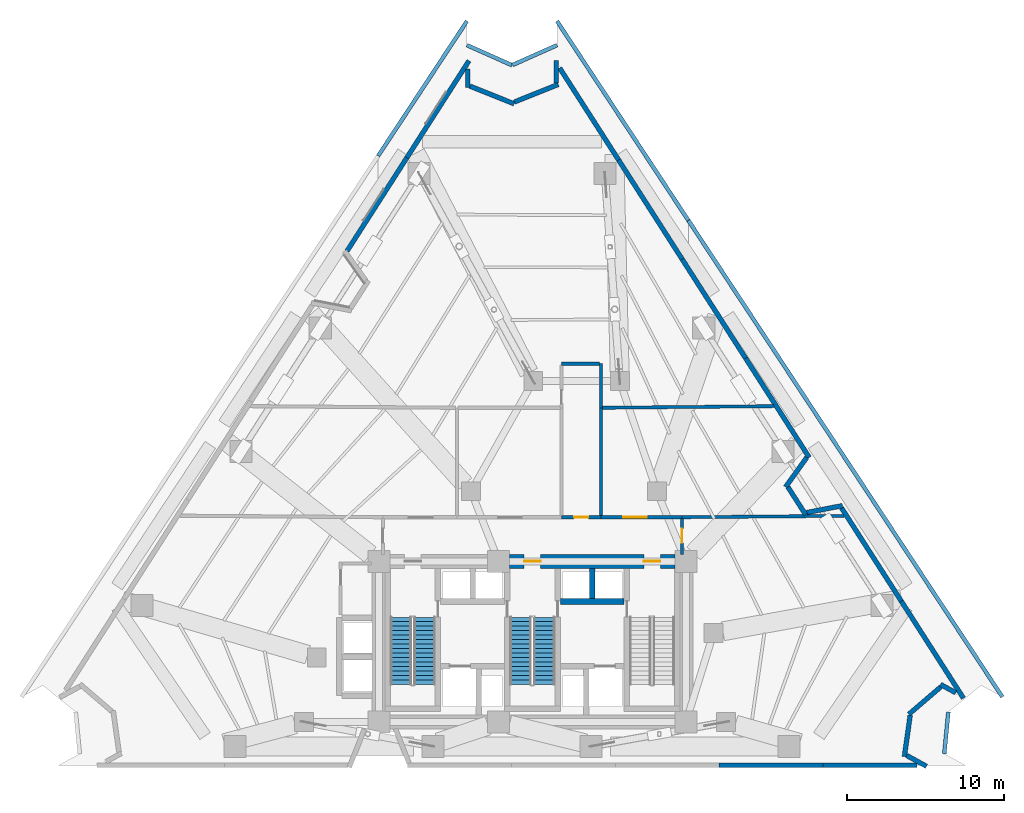
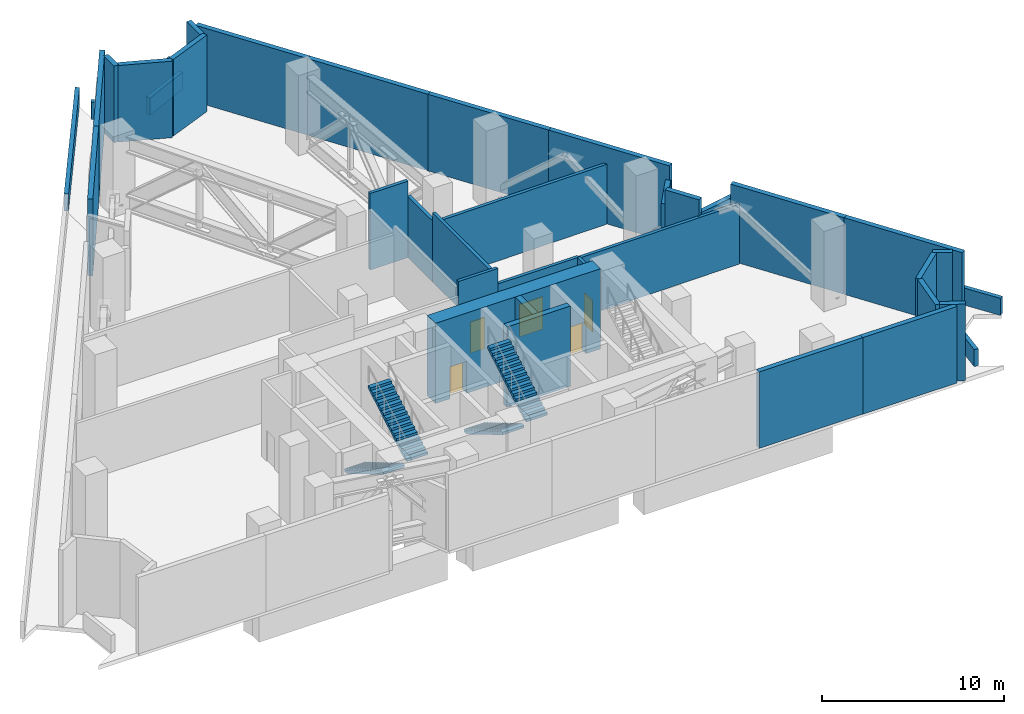
# One storey, part 9 of 12: 38 walls, 5 doors, 4 stair flights, 5 openings, 2 elements without a shape of their own.
"""IFC4 building model written with IfcOpenShell, lengths in metres."""

from ifc_helpers import new_model, si_unit, direction, frame, frame_2d, origin, place, context, subcontext, project, spatial, polyline, rectangle, outline, extrude, material, layer, layer_set, type_object, element, fill, aggregate, save


model = new_model("IFC4")

# Units and contexts
model_context = context("Model", 3, precision=1e-05, world=origin(), true_north=direction((0.0, 1.0)))
body_context = subcontext(model_context, "Body", "Model", "MODEL_VIEW")
ifc_project = project(units=[si_unit("LENGTHUNIT", "METRE"), si_unit("AREAUNIT", "SQUARE_METRE"), si_unit("VOLUMEUNIT", "CUBIC_METRE"), si_unit("PLANEANGLEUNIT", "RADIAN"), si_unit("MASSUNIT", "GRAM", prefix="KILO")], contexts=[model_context])

# Site, building, storey
site_placement = place(None, origin())
site = spatial("IfcSite", under=ifc_project, at=site_placement, CompositionType="ELEMENT")
building_placement = place(site_placement, origin())
building = spatial("IfcBuilding", under=site, at=building_placement, Name="Almagre Mirador Tower", CompositionType="ELEMENT")
storey_placement = place(building_placement, frame((0.0, 0.0, 26.39990234375)))
storey = spatial("IfcBuildingStorey", under=building, at=storey_placement, Name="L05", CompositionType="ELEMENT", Elevation=26.39990234375)

# Walls
ifc_material_1 = material(Name="Precast concrete C50/60", Category="concrete")
ifc_layer_1 = layer(ifc_material_1, 0.300048828125)
ifc_layer_set_1 = layer_set([ifc_layer_1], Name="Precast concrete C50/60")
wall_type_1 = type_object("IfcWallType", Name="WAL-EXT-300", PredefinedType="SOLIDWALL", material=ifc_layer_set_1)
wall_1_placement = place(storey_placement, frame((25.52392578125, 34.45263671875, 0.0), z_axis=(0.0, 0.0, 1.0), x_axis=(0.539524946774, 0.84196961454, 0.0)))
element("IfcWall", 1, at=wall_1_placement, inside=storey, type_object=wall_type_1, Name="L05 expressed almagre precast frame wall 04", PredefinedType="SOLIDWALL", context=body_context, shape_type="SweptSolid", body=[
    extrude(rectangle(XDim=7.04052734375, YDim=0.300048828125, at=frame_2d((3.520263671875, 0.0))), origin(), (0.0, 0.0, 1.0), 5.150146484375),
])
wall_2_placement = place(storey_placement, frame((29.322509765625, 40.380615234375, 0.0), z_axis=(0.0, 0.0, 1.0), x_axis=(0.539552692101, 0.841951834992, 0.0)))
element("IfcWall", 2, at=wall_2_placement, inside=storey, type_object=wall_type_1, Name="L05 expressed almagre precast frame wall 05", PredefinedType="SOLIDWALL", context=body_context, shape_type="SweptSolid", body=[
    extrude(rectangle(XDim=7.3154296875, YDim=0.300048828125, at=frame_2d((3.65771484375, 0.0))), origin(), (0.0, 0.0, 1.0), 5.150146484375),
])
wall_3_placement = place(storey_placement, frame((33.194091796875, 46.01708984375, 0.0), z_axis=(0.0, 0.0, 1.0), x_axis=(0.0, -1.0, 0.0)))
element("IfcWall", 3, at=wall_3_placement, inside=storey, type_object=wall_type_1, Name="L05 expressed almagre precast frame wall 06", PredefinedType="SOLIDWALL", context=body_context, shape_type="SweptSolid", body=[
    extrude(rectangle(XDim=1.175048828125, YDim=0.300048828125, at=frame_2d((0.58740234375, 0.0))), origin(), (0.0, 0.0, 1.0), 5.150146484375),
])
wall_4_placement = place(storey_placement, frame((33.323974609375, 44.9296875, 0.0), z_axis=(0.0, 0.0, 1.0), x_axis=(0.928091921944, -0.372351157407, 0.0)))
element("IfcWall", 4, at=wall_4_placement, inside=storey, type_object=wall_type_1, Name="L05 expressed almagre precast frame wall 07", PredefinedType="SOLIDWALL", context=body_context, shape_type="SweptSolid", body=[
    extrude(rectangle(XDim=3.023193359375, YDim=0.300048828125, at=frame_2d((1.51171875, 0.0))), origin(), (0.0, 0.0, 1.0), 5.150146484375),
])
wall_5_placement = place(storey_placement, frame((36.13916015625, 43.911865234375, 0.0), z_axis=(0.0, 0.0, 1.0), x_axis=(0.928057043086, 0.372438081804, 0.0)))
element("IfcWall", 5, at=wall_5_placement, inside=storey, type_object=wall_type_1, Name="L05 expressed almagre precast frame wall 08", PredefinedType="SOLIDWALL", context=body_context, shape_type="SweptSolid", body=[
    extrude(rectangle(XDim=3.013427734375, YDim=0.300048828125, at=frame_2d((1.5068359375, 0.0))), origin(), (0.0, 0.0, 1.0), 5.150146484375),
])
wall_6_placement = place(storey_placement, frame((38.805908203125, 45.1220703125, 0.0), z_axis=(0.0, 0.0, 1.0), x_axis=(0.0, 1.0, 0.0)))
element("IfcWall", 6, at=wall_6_placement, inside=storey, type_object=wall_type_1, Name="L05 expressed almagre precast frame wall 09", PredefinedType="SOLIDWALL", context=body_context, shape_type="SweptSolid", body=[
    extrude(rectangle(XDim=1.43994140625, YDim=0.300048828125, at=frame_2d((0.719970703125, 0.0))), origin(), (0.0, 0.0, 1.0), 5.150146484375),
])
wall_7_placement = place(storey_placement, frame((39.0244140625, 46.0810546875, 0.0), z_axis=(0.0, 0.0, 1.0), x_axis=(0.53955097723, -0.84195293394, 0.0)))
element("IfcWall", 7, at=wall_7_placement, inside=storey, type_object=wall_type_1, Name="L05 expressed almagre precast frame wall 10", PredefinedType="SOLIDWALL", context=body_context, shape_type="SweptSolid", body=[
    extrude(rectangle(XDim=6.936767578125, YDim=0.300048828125, at=frame_2d((3.46826171875, 0.0))), origin(), (0.0, 0.0, 1.0), 5.150146484375),
])
for number, where, z_axis, x_axis, name in (
    (8, (42.76708984375, 40.24072265625, 0.0), (0.0, 0.0, 1.0), (0.539510136354, -0.841979104712, 0.0), "L05 expressed almagre precast frame wall 11"),
    (9, (46.803466796875, 33.94140625, 0.0), (0.0, 0.0, 1.0), (0.539548093607, -0.841954781853, 0.0), "L05 expressed almagre precast frame wall 12"),
    (10, (50.840087890625, 27.642333984375, 0.0), (0.0, 0.0, 1.0), (0.539510136354, -0.841979104712, 0.0), "L05 expressed almagre precast frame wall 13"),
):
    element("IfcWall", number, at=place(storey_placement, frame(where, z_axis=z_axis, x_axis=x_axis)), inside=storey, type_object=wall_type_1, Name=name, PredefinedType="SOLIDWALL", context=body_context, shape_type="SweptSolid", body=[
        extrude(rectangle(XDim=7.4814453125, YDim=0.300048828125, at=frame_2d((3.74072265625, 0.0))), origin(), (0.0, 0.0, 1.0), 5.150146484375),
    ])
wall_8_placement = place(storey_placement, frame((54.722412109375, 21.351318359375, 0.0), z_axis=(0.0, 0.0, 1.0), x_axis=(-0.58303932792, -0.812443931665, 0.0)))
element("IfcWall", 11, at=wall_8_placement, inside=storey, type_object=wall_type_1, Name="L05 expressed almagre precast frame wall 14", PredefinedType="SOLIDWALL", context=body_context, shape_type="SweptSolid", body=[
    extrude(rectangle(XDim=2.319091796875, YDim=0.300048828125, at=frame_2d((1.15966796875, 0.0))), origin(), (0.0, 0.0, 1.0), 4.175048828125),
])
wall_9_placement = place(storey_placement, frame((53.52490234375, 19.46728515625, 0.0), z_axis=(0.0, 0.0, 1.0), x_axis=(0.539579295957, -0.841934785702, 0.0)))
element("IfcWall", 12, at=wall_9_placement, inside=storey, type_object=wall_type_1, Name="L05 expressed almagre precast frame wall 15", PredefinedType="SOLIDWALL", context=body_context, shape_type="SweptSolid", body=[
    extrude(rectangle(XDim=2.095458984375, YDim=0.300048828125, at=frame_2d((1.0478515625, 0.0))), origin(), (0.0, 0.0, 1.0), 5.150146484375),
])
wall_10_placement = place(storey_placement, frame((54.712646484375, 17.8466796875, 0.0), z_axis=(0.0, 0.0, 1.0), x_axis=(0.981741799544, 0.190218398238, 0.0)))
element("IfcWall", 13, at=wall_10_placement, inside=storey, type_object=wall_type_1, Name="L05 expressed almagre precast frame wall 16", PredefinedType="SOLIDWALL", context=body_context, shape_type="SweptSolid", body=[
    extrude(rectangle(XDim=2.31787109375, YDim=0.300048828125, at=frame_2d((1.158935546875, 0.0))), origin(), (0.0, 0.0, 1.0), 4.175048828125),
])
wall_11_placement = place(storey_placement, frame((56.923828125, 18.1474609375, 0.0), z_axis=(0.0, 0.0, 1.0), x_axis=(0.539524946774, -0.84196961454, 0.0)))
element("IfcWall", 14, at=wall_11_placement, inside=storey, type_object=wall_type_1, Name="L05 expressed almagre precast frame wall 17", PredefinedType="SOLIDWALL", context=body_context, shape_type="SweptSolid", body=[
    extrude(rectangle(XDim=7.04052734375, YDim=0.300048828125, at=frame_2d((3.520263671875, 0.0))), origin(), (0.0, 0.0, 1.0), 5.150146484375),
])
wall_12_placement = place(storey_placement, frame((60.722412109375, 12.219482421875, 0.0), z_axis=(0.0, 0.0, 1.0), x_axis=(0.53953753152, -0.841961550239, 0.0)))
element("IfcWall", 15, at=wall_12_placement, inside=storey, type_object=wall_type_1, Name="L05 expressed almagre precast frame wall 18", PredefinedType="SOLIDWALL", context=body_context, shape_type="SweptSolid", body=[
    extrude(rectangle(XDim=7.315673828125, YDim=0.300048828125, at=frame_2d((3.65771484375, 0.0))), origin(), (0.0, 0.0, 1.0), 5.150146484375),
])
wall_13_placement = place(storey_placement, frame((64.181640625, 6.403564453125, 0.0), z_axis=(0.0, 0.0, 1.0), x_axis=(-0.877222032341, 0.48008489455, 0.0)))
element("IfcWall", 16, at=wall_13_placement, inside=storey, type_object=wall_type_1, Name="L05 expressed almagre precast frame wall 19", PredefinedType="SOLIDWALL", context=body_context, shape_type="SweptSolid", body=[
    extrude(rectangle(XDim=1.109619140625, YDim=0.300048828125, at=frame_2d((0.5546875, 0.0))), origin(), (0.0, 0.0, 1.0), 5.150146484375),
])
wall_14_placement = place(storey_placement, frame((63.228515625, 6.781005859375, 0.0), z_axis=(0.0, 0.0, 1.0), x_axis=(-0.7586756687, -0.651468517829, 0.0)))
element("IfcWall", 17, at=wall_14_placement, inside=storey, type_object=wall_type_1, Name="L05 expressed almagre precast frame wall 20", PredefinedType="SOLIDWALL", context=body_context, shape_type="SweptSolid", body=[
    extrude(rectangle(XDim=2.671142578125, YDim=0.300048828125, at=frame_2d((1.33544921875, 0.0))), origin(), (0.0, 0.0, 1.0), 5.150146484375),
])
wall_15_placement = place(storey_placement, frame((61.285888671875, 4.973388671875, 0.0), z_axis=(0.0, 0.0, 1.0), x_axis=(-0.139186994148, -0.990266116082, 0.0)))
element("IfcWall", 18, at=wall_15_placement, inside=storey, type_object=wall_type_1, Name="L05 expressed almagre precast frame wall 21", PredefinedType="SOLIDWALL", context=body_context, shape_type="SweptSolid", body=[
    extrude(rectangle(XDim=2.64697265625, YDim=0.300048828125, at=frame_2d((1.323486328125, 0.0))), origin(), (0.0, 0.0, 1.0), 5.150146484375),
])
wall_16_placement = place(storey_placement, frame((61.055419921875, 2.42626953125, 0.0), z_axis=(0.0, 0.0, 1.0), x_axis=(0.877287752989, -0.479964788767, 0.0)))
element("IfcWall", 19, at=wall_16_placement, inside=storey, type_object=wall_type_1, Name="L05 expressed almagre precast frame wall 22", PredefinedType="SOLIDWALL", context=body_context, shape_type="SweptSolid", body=[
    extrude(rectangle(XDim=1.444580078125, YDim=0.300048828125, at=frame_2d((0.72216796875, 0.0))), origin(), (0.0, 0.0, 1.0), 5.150146484375),
])
wall_17_placement = place(storey_placement, frame((61.72998046875, 1.800048828125, 0.0), z_axis=(0.0, 0.0, 1.0), x_axis=(-1.0, 0.0, 0.0)))
element("IfcWall", 20, at=wall_17_placement, inside=storey, type_object=wall_type_1, Name="L05 expressed almagre precast frame wall 23", PredefinedType="SOLIDWALL", context=body_context, shape_type="SweptSolid", body=[
    extrude(rectangle(XDim=5.982666015625, YDim=0.300048828125, at=frame_2d((2.9912109375, 0.0))), origin(), (0.0, 0.0, 1.0), 5.150146484375),
])
wall_18_placement = place(storey_placement, frame((55.747314453125, 1.800048828125, 0.0), z_axis=(0.0, 0.0, 1.0), x_axis=(-1.0, 0.0, 0.0)))
element("IfcWall", 21, at=wall_18_placement, inside=storey, type_object=wall_type_1, Name="L05 expressed almagre precast frame wall 24", PredefinedType="SOLIDWALL", context=body_context, shape_type="SweptSolid", body=[
    extrude(rectangle(XDim=6.593017578125, YDim=0.300048828125, at=frame_2d((3.29638671875, 0.0))), origin(), (0.0, 0.0, 1.0), 5.150146484375),
])
ifc_material_2 = material(Name="Precast concrete C50/60", Category="concrete")
ifc_layer_2 = layer(ifc_material_2, 0.25)
ifc_layer_set_2 = layer_set([ifc_layer_2], Name="Precast concrete C50/60")
wall_type_2 = type_object("IfcWallType", Name="WAL-PAR-250", PredefinedType="PARAPET", material=ifc_layer_set_2)
wall_19_placement = place(storey_placement, frame((63.7099609375, 5.18798828125, 0.0), z_axis=(0.0, 0.0, 1.0), x_axis=(-0.096122895787, -0.995369473565, 0.0)))
element("IfcWall", 22, at=wall_19_placement, inside=storey, type_object=wall_type_2, Name="L05 terrace precast parapet 2.3", PredefinedType="PARAPET", context=body_context, shape_type="SweptSolid", body=[
    extrude(rectangle(XDim=2.674560546875, YDim=0.25, at=frame_2d((1.33740234375, 0.0))), origin(), (0.0, 0.0, 1.0), 1.150146484375),
])
wall_20_placement = place(storey_placement, frame((47.199951171875, 36.40234375, 0.0), z_axis=(0.0, 0.0, 1.0), x_axis=(0.550211524159, -0.835025316192, 0.0)))
element("IfcWall", 23, at=wall_20_placement, inside=storey, type_object=wall_type_2, Name="L05 terrace precast parapet 2.78", PredefinedType="PARAPET", context=body_context, shape_type="SweptSolid", body=[
    extrude(rectangle(XDim=36.23876953125, YDim=0.25, at=frame_2d((18.119384765625, 0.0))), origin(), (0.0, 0.0, 1.0), 1.150146484375),
])
wall_21_placement = place(storey_placement, frame((33.138916015625, 47.528076171875, 0.0), z_axis=(0.0, 0.0, 1.0), x_axis=(0.913766527621, -0.406239748178, 0.0)))
element("IfcWall", 24, at=wall_21_placement, inside=storey, type_object=wall_type_2, Name="L05 terrace precast parapet 3.2", PredefinedType="PARAPET", context=body_context, shape_type="SweptSolid", body=[
    extrude(rectangle(XDim=3.131103515625, YDim=0.25, at=frame_2d((1.5654296875, 0.0))), origin(), (0.0, 0.0, 1.0), 1.150146484375),
])
wall_22_placement = place(storey_placement, frame((36.031982421875, 46.270263671875, 0.0), z_axis=(0.0, 0.0, 1.0), x_axis=(0.913759513777, 0.406255524248, 0.0)))
element("IfcWall", 25, at=wall_22_placement, inside=storey, type_object=wall_type_2, Name="L05 terrace precast parapet 3.3", PredefinedType="PARAPET", context=body_context, shape_type="SweptSolid", body=[
    extrude(rectangle(XDim=3.09619140625, YDim=0.25, at=frame_2d((1.548095703125, 0.0))), origin(), (0.0, 0.0, 1.0), 1.150146484375),
])
wall_23_placement = place(storey_placement, frame((38.861083984375, 49.05810546875, 0.0), z_axis=(0.0, 0.0, 1.0), x_axis=(0.550201566489, -0.835031877376, 0.0)))
element("IfcWall", 26, at=wall_23_placement, inside=storey, type_object=wall_type_2, Name="L05 terrace precast parapet 3.5", PredefinedType="PARAPET", context=body_context, shape_type="SweptSolid", body=[
    extrude(rectangle(XDim=15.156005859375, YDim=0.25, at=frame_2d((7.578125, 0.0))), origin(), (0.0, 0.0, 1.0), 1.150146484375),
])
wall_24_placement = place(storey_placement, frame((27.5, 40.5, 0.0), z_axis=(0.0, 0.0, 1.0), x_axis=(0.550200881424, 0.835032328763, 0.0)))
element("IfcWall", 27, at=wall_24_placement, inside=storey, type_object=wall_type_2, Name="L05 terrace precast parapet 3.66", PredefinedType="PARAPET", context=body_context, shape_type="SweptSolid", body=[
    extrude(rectangle(XDim=10.248779296875, YDim=0.25, at=frame_2d((5.12451171875, 0.0))), origin(), (0.0, 0.0, 1.0), 1.150146484375),
])

# Wall, opening, door
ifc_material_3 = material(Name="Gypsum acoustic stud partition", Category="other")
ifc_layer_3 = layer(ifc_material_3, 0.199951171875)
ifc_layer_set_3 = layer_set([ifc_layer_3], Name="Gypsum acoustic stud partition")
wall_type_3 = type_object("IfcWallType", Name="WAL-PRT-200-EI60", PredefinedType="PARTITIONING", material=ifc_layer_set_3)
wall_25_placement = place(storey_placement, frame((39.14990234375, 17.550048828125, 0.0), z_axis=(0.0, 0.0, 1.0), x_axis=(1.0, 0.0, 0.0)))
wall_25 = element("IfcWall", 28, at=wall_25_placement, inside=storey, type_object=wall_type_3, Name="L05 interior partition 001", PredefinedType="PARTITIONING", context=body_context, shape_type="SweptSolid", body=[
    extrude(rectangle(XDim=2.5, YDim=0.199951171875, at=frame_2d((1.25, 0.0))), origin(), (0.0, 0.0, 1.0), 5.150146484375),
])
opening_1_placement = place(wall_25_placement, frame((0.800048828125, 0.0, 0.0)))
opening_1 = element("IfcOpeningElement", 29, at=opening_1_placement, cuts=wall_25, Name="Opening ID-03", PredefinedType="OPENING", context=body_context, shape_type="SweptSolid", body=[
    extrude(rectangle(XDim=0.89990234375, YDim=2.10009765625, at=frame_2d((0.449951171875, 1.050048828125))), frame((0.0, 0.110098, 0.0), z_axis=(0.0, -1.0, 0.0), x_axis=(1.0, 0.0, 0.0)), (0.0, 0.0, 1.0), 0.219951),
])
ifc_material_4 = material(Name="Fire-rated hollow steel", Category="steel")
door_type_1 = type_object("IfcDoorType", Name="DOR-FD60-900X2100", OperationType="NOTDEFINED", PredefinedType="DOOR", material=ifc_material_4)
door_1_placement = place(opening_1_placement, origin())
door_1 = element("IfcDoor", 30, at=door_1_placement, inside=storey, type_object=door_type_1, Name="DR-0162 L05 interior door L05-PLT-1 to L05-PCOR", OperationType="SINGLE_SWING_LEFT", OverallHeight=2.10009765625, OverallWidth=0.89990234375, PredefinedType="DOOR", context=body_context, shape_type="SweptSolid", body=[
    extrude(rectangle(XDim=0.89990234375, YDim=2.10009765625, at=frame_2d((0.449951171875, 1.050048828125))), frame((0.0, 0.02490234375, 0.0), z_axis=(0.0, -1.0, 0.0), x_axis=(1.0, 0.0, 0.0)), (0.0, 0.0, 1.0), 0.050048828125),
])
fill(opening_1, door_1)

# Walls
wall_26_placement = place(storey_placement, frame((41.64990234375, 17.635009765625, 0.0), z_axis=(0.0, 0.0, 1.0), x_axis=(0.0, 1.0, 0.0)))
element("IfcWall", 31, at=wall_26_placement, inside=storey, type_object=wall_type_3, Name="L05 interior partition 003", PredefinedType="PARTITIONING", context=body_context, shape_type="SweptSolid", body=[
    extrude(rectangle(XDim=6.864990234375, YDim=0.199951171875, at=frame_2d((3.4326171875, 0.0))), origin(), (0.0, 0.0, 1.0), 4.653076171875),
])
wall_27_placement = place(storey_placement, frame((41.64990234375, 24.5, 0.0), z_axis=(0.0, 0.0, 1.0), x_axis=(0.0, 1.0, 0.0)))
element("IfcWall", 32, at=wall_27_placement, inside=storey, type_object=wall_type_3, Name="L05 interior partition 004", PredefinedType="PARTITIONING", context=body_context, shape_type="SweptSolid", body=[
    extrude(rectangle(XDim=2.800048828125, YDim=0.199951171875, at=frame_2d((1.39990234375, 0.0))), origin(), (0.0, 0.0, 1.0), 4.109130859375),
])
wall_28_placement = place(storey_placement, frame((41.56494140625, 27.300048828125, 0.0), z_axis=(0.0, 0.0, 1.0), x_axis=(-1.0, 0.0, 0.0)))
element("IfcWall", 33, at=wall_28_placement, inside=storey, type_object=wall_type_3, Name="L05 interior partition 005", PredefinedType="PARTITIONING", context=body_context, shape_type="SweptSolid", body=[
    extrude(rectangle(XDim=2.4150390625, YDim=0.199951171875, at=frame_2d((1.20751953125, 0.0))), origin(), (0.0, 0.0, 1.0), 5.150146484375),
])

# Wall, opening, door
wall_29_placement = place(storey_placement, frame((46.800048828125, 17.550048828125, 0.0), z_axis=(0.0, 0.0, 1.0), x_axis=(-1.0, 0.0, 0.0)))
wall_29 = element("IfcWall", 34, at=wall_29_placement, inside=storey, type_object=wall_type_3, Name="L05 interior partition 009", PredefinedType="PARTITIONING", context=body_context, shape_type="SweptSolid", body=[
    extrude(rectangle(XDim=5.150146484375, YDim=0.199951171875, at=frame_2d((2.5751953125, 0.0))), origin(), (0.0, 0.0, 1.0), 4.109130859375),
])
opening_2_placement = place(wall_29_placement, frame((2.231689453125, 0.0, 0.0)))
opening_2 = element("IfcOpeningElement", 35, at=opening_2_placement, cuts=wall_29, Name="Opening ID-04", PredefinedType="OPENING", context=body_context, shape_type="SweptSolid", body=[
    extrude(rectangle(XDim=1.5, YDim=2.199951171875, at=frame_2d((0.75, 1.10009765625))), frame((0.0, 0.110098, 0.0), z_axis=(0.0, -1.0, 0.0), x_axis=(1.0, 0.0, 0.0)), (0.0, 0.0, 1.0), 0.219951),
])
ifc_material_5 = material(Name="Fire-rated hollow steel", Category="steel")
door_type_2 = type_object("IfcDoorType", Name="DOR-FD60-1500X2200", OperationType="DOUBLE_DOOR_SINGLE_SWING", PredefinedType="DOOR", material=ifc_material_5)
door_2_placement = place(opening_2_placement, origin())
door_2 = element("IfcDoor", 36, at=door_2_placement, inside=storey, type_object=door_type_2, Name="DR-0164 L05 interior door L05-PCOR to L05-PLT-4", OperationType="DOUBLE_DOOR_SINGLE_SWING", OverallHeight=2.199951171875, OverallWidth=1.5, PredefinedType="DOOR", context=body_context, shape_type="SweptSolid", body=[
    extrude(rectangle(XDim=1.5, YDim=2.199951171875, at=frame_2d((0.75, 1.10009765625))), frame((0.0, 0.02490234375, 0.0), z_axis=(0.0, -1.0, 0.0), x_axis=(1.0, 0.0, 0.0)), (0.0, 0.0, 1.0), 0.050048828125),
])
fill(opening_2, door_2)

wall_30_placement = place(storey_placement, frame((46.800048828125, 15.199951171875, 0.0), z_axis=(0.0, 0.0, 1.0), x_axis=(0.0, 1.0, 0.0)))
wall_30 = element("IfcWall", 37, at=wall_30_placement, inside=storey, type_object=wall_type_3, Name="L05 interior partition 011", PredefinedType="PARTITIONING", context=body_context, shape_type="SweptSolid", body=[
    extrude(rectangle(XDim=2.26513671875, YDim=0.199951171875, at=frame_2d((1.132568359375, 0.0))), origin(), (0.0, 0.0, 1.0), 4.109130859375),
])
opening_3_placement = place(wall_30_placement, frame((0.72509765625, 0.0, 0.0)))
opening_3 = element("IfcOpeningElement", 38, at=opening_3_placement, cuts=wall_30, Name="Opening ID-03", PredefinedType="OPENING", context=body_context, shape_type="SweptSolid", body=[
    extrude(rectangle(XDim=0.89990234375, YDim=2.10009765625, at=frame_2d((0.449951171875, 1.050048828125))), frame((0.0, 0.110098, 0.0), z_axis=(0.0, -1.0, 0.0), x_axis=(1.0, 0.0, 0.0)), (0.0, 0.0, 1.0), 0.219951),
])
door_3_placement = place(opening_3_placement, origin())
door_3 = element("IfcDoor", 39, at=door_3_placement, inside=storey, type_object=door_type_1, Name="DR-0166 L05 interior door L05-PCOR to L05-REF-E", OperationType="SINGLE_SWING_LEFT", OverallHeight=2.10009765625, OverallWidth=0.89990234375, PredefinedType="DOOR", context=body_context, shape_type="SweptSolid", body=[
    extrude(rectangle(XDim=0.89990234375, YDim=2.10009765625, at=frame_2d((0.449951171875, 1.050048828125))), frame((0.0, 0.02490234375, 0.0), z_axis=(0.0, -1.0, 0.0), x_axis=(1.0, 0.0, 0.0)), (0.0, 0.0, 1.0), 0.050048828125),
])
fill(opening_3, door_3)

# Walls
wall_31_placement = place(storey_placement, frame((46.800048828125, 17.550048828125, 0.0), z_axis=(0.0, 0.0, 1.0), x_axis=(0.99996212841, 0.008702973367, 0.0)))
element("IfcWall", 40, at=wall_31_placement, inside=storey, type_object=wall_type_3, Name="L05 interior partition 015", PredefinedType="PARTITIONING", context=body_context, shape_type="SweptSolid", body=[
    extrude(rectangle(XDim=10.267333984375, YDim=0.199951171875, at=frame_2d((5.1337890625, 0.0))), origin(), (0.0, 0.0, 1.0), 4.028076171875),
])
wall_32_placement = place(storey_placement, frame((52.64599609375, 24.60498046875, 0.0), z_axis=(0.0, 0.0, 1.0), x_axis=(-0.999954144913, -0.009576433153, 0.0)))
element("IfcWall", 41, at=wall_32_placement, inside=storey, type_object=wall_type_3, Name="L05 interior partition 016", PredefinedType="PARTITIONING", context=body_context, shape_type="SweptSolid", body=[
    extrude(rectangle(XDim=10.911376953125, YDim=0.199951171875, at=frame_2d((5.45556640625, 0.0))), origin(), (0.0, 0.0, 1.0), 4.028076171875),
])
ifc_material_6 = material(Name="Concrete C60/75", Category="concrete")
ifc_layer_4 = layer(ifc_material_6, 0.35009765625)
ifc_layer_set_4 = layer_set([ifc_layer_4], Name="Concrete C60/75")
wall_type_4 = type_object("IfcWallType", Name="WAL-SHF-350", PredefinedType="SOLIDWALL", material=ifc_layer_set_4)
wall_33_placement = place(storey_placement, frame((39.074951171875, 12.199951171875, 0.0), z_axis=(0.0, 0.0, 1.0), x_axis=(1.0, 0.0, 0.0)))
element("IfcWall", 42, at=wall_33_placement, inside=storey, type_object=wall_type_4, Name="L05 shaft wall PLH-S", PredefinedType="SOLIDWALL", context=body_context, shape_type="SweptSolid", body=[
    extrude(rectangle(XDim=4.050048828125, YDim=0.35009765625, at=frame_2d((2.02490234375, 0.0))), origin(), (0.0, 0.0, 1.0), 5.400146484375),
])
wall_34_placement = place(storey_placement, frame((41.10009765625, 12.375, 0.0), z_axis=(0.0, 0.0, 1.0), x_axis=(0.0, 1.0, 0.0)))
element("IfcWall", 43, at=wall_34_placement, inside=storey, type_object=wall_type_4, Name="L05 shaft wall PLH-M", PredefinedType="SOLIDWALL", context=body_context, shape_type="SweptSolid", body=[
    extrude(rectangle(XDim=1.925048828125, YDim=0.35009765625, at=frame_2d((0.96240234375, 0.0))), origin(), (0.0, 0.0, 1.0), 5.400146484375),
])

# Wall, openings, doors
ifc_material_7 = material(Name="Concrete C70/85", Category="concrete")
ifc_layer_5 = layer(ifc_material_7, 0.89990234375)
ifc_layer_set_5 = layer_set([ifc_layer_5], Name="Concrete C70/85")
wall_type_5 = type_object("IfcWallType", Name="WAL-SHR-900", PredefinedType="SHEAR", material=ifc_layer_set_5)
wall_35_placement = place(storey_placement, frame((35.85009765625, 14.75, 0.0), z_axis=(0.0, 0.0, 1.0), x_axis=(1.0, 0.0, 0.0)))
wall_35 = element("IfcWall", 44, at=wall_35_placement, inside=storey, type_object=wall_type_5, Name="L05 core shear wall N2", PredefinedType="SHEAR", context=body_context, shape_type="SweptSolid", body=[
    extrude(rectangle(XDim=10.5, YDim=0.89990234375, at=frame_2d((5.25, 0.0))), origin(), (0.0, 0.0, 1.0), 5.400146484375),
])
opening_4_placement = place(wall_35_placement, frame((0.925048828125, 0.0, 0.0)))
opening_4 = element("IfcOpeningElement", 45, at=opening_4_placement, cuts=wall_35, Name="Opening SD-01", PredefinedType="OPENING", context=body_context, shape_type="SweptSolid", body=[
    extrude(rectangle(XDim=1.050048828125, YDim=2.14990234375, at=frame_2d((0.52490234375, 1.074951171875))), frame((0.0, 0.459951, 0.0), z_axis=(0.0, -1.0, 0.0), x_axis=(1.0, 0.0, 0.0)), (0.0, 0.0, 1.0), 0.919902),
])
opening_5_placement = place(wall_35_placement, frame((8.52490234375, 0.0, 0.0)))
opening_5 = element("IfcOpeningElement", 46, at=opening_5_placement, cuts=wall_35, Name="Opening SD-01", PredefinedType="OPENING", context=body_context, shape_type="SweptSolid", body=[
    extrude(rectangle(XDim=1.050048828125, YDim=2.14990234375, at=frame_2d((0.52490234375, 1.074951171875))), frame((0.0, 0.459951, 0.0), z_axis=(0.0, -1.0, 0.0), x_axis=(1.0, 0.0, 0.0)), (0.0, 0.0, 1.0), 0.919902),
])
ifc_material_8 = material(Name="Fire-rated hollow steel", Category="steel")
door_type_3 = type_object("IfcDoorType", Name="DOR-ST-1050X2150", OperationType="NOTDEFINED", PredefinedType="DOOR", material=ifc_material_8)
door_4_placement = place(opening_4_placement, origin())
door_4 = element("IfcDoor", 47, at=door_4_placement, inside=storey, type_object=door_type_3, Name="DR-0172 L05 protected exit stair ST-2 door", OperationType="SINGLE_SWING_RIGHT", OverallHeight=2.14990234375, OverallWidth=1.050048828125, PredefinedType="DOOR", context=body_context, shape_type="SweptSolid", body=[
    extrude(rectangle(XDim=1.050048828125, YDim=2.14990234375, at=frame_2d((0.52490234375, 1.074951171875))), frame((0.0, 0.02490234375, 0.0), z_axis=(0.0, -1.0, 0.0), x_axis=(1.0, 0.0, 0.0)), (0.0, 0.0, 1.0), 0.050048828125),
])
fill(opening_4, door_4)
door_5_placement = place(opening_5_placement, origin())
door_5 = element("IfcDoor", 48, at=door_5_placement, inside=storey, type_object=door_type_3, Name="DR-0173 L05 protected exit stair ST-3 door", OperationType="SINGLE_SWING_LEFT", OverallHeight=2.14990234375, OverallWidth=1.050048828125, PredefinedType="DOOR", context=body_context, shape_type="SweptSolid", body=[
    extrude(rectangle(XDim=1.050048828125, YDim=2.14990234375, at=frame_2d((0.52490234375, 1.074951171875))), frame((0.0, 0.02490234375, 0.0), z_axis=(0.0, -1.0, 0.0), x_axis=(1.0, 0.0, 0.0)), (0.0, 0.0, 1.0), 0.050048828125),
])
fill(opening_5, door_5)

# Stair, stair flights
ifc_material_9 = material(Name="Concrete C45/55", Category="concrete")
stair_type = type_object("IfcStairType", Name="STR-DL-5400", PredefinedType="HALF_TURN_STAIR", material=ifc_material_9)
stair_1_placement = place(storey_placement, origin())
stair_1 = element("IfcStair", 49, at=stair_1_placement, inside=storey, type_object=stair_type, Name="L05 Protected exit stair ST-1", PredefinedType="HALF_TURN_STAIR")
ifc_material_10 = material(Name="Concrete C45/55", Category="concrete")
stair_flight_type = type_object("IfcStairFlightType", Name="FLT-DL-5400", PredefinedType="STRAIGHT", material=ifc_material_10)
stair_flight_1_placement = place(storey_placement, frame((28.949951171875, 11.199951171875, 0.0), z_axis=(0.0, 0.0, 1.0), x_axis=(0.0, -1.0, 0.0)))
stair_flight_1 = element("IfcStairFlight", 50, at=stair_flight_1_placement, type_object=stair_flight_type, Name="ST-1 flight 1", NumberOfRisers=16, NumberOfTreads=15, PredefinedType="STRAIGHT", RiserHeight=0.16875, TreadLength=0.285, context=body_context, shape_type="SweptSolid", body=[
    extrude(outline(polyline([(0.0, 0.0), (0.0, 0.168701171875), (0.284912109375, 0.168701171875), (0.284912109375, 0.33740234375), (0.570068359375, 0.33740234375), (0.570068359375, 0.50634765625), (0.85498046875, 0.50634765625), (0.85498046875, 0.675048828125), (1.139892578125, 0.675048828125), (1.139892578125, 0.84375), (1.425048828125, 0.84375), (1.425048828125, 1.012451171875), (1.7099609375, 1.012451171875), (1.7099609375, 1.18115234375), (1.9951171875, 1.18115234375), (1.9951171875, 1.35009765625), (2.280029296875, 1.35009765625), (2.280029296875, 1.518798828125), (2.56494140625, 1.518798828125), (2.56494140625, 1.6875), (2.85009765625, 1.6875), (2.85009765625, 1.856201171875), (3.135009765625, 1.856201171875), (3.135009765625, 2.02490234375), (3.419921875, 2.02490234375), (3.419921875, 2.19384765625), (3.705078125, 2.19384765625), (3.705078125, 2.362548828125), (3.989990234375, 2.362548828125), (3.989990234375, 2.53125), (4.27490234375, 2.53125), (4.27490234375, 2.699951171875), (4.27490234375, 2.35693359375), (0.294189453125, 0.0), (0.0, 0.0)])), frame((0.0, 0.675048828125, 0.0), z_axis=(0.0, -1.0, 0.0), x_axis=(1.0, 0.0, 0.0)), (0.0, 0.0, 1.0), 1.35009765625),
])
stair_flight_2_placement = place(storey_placement, frame((30.449951171875, 6.925048828125, 2.7001953125), z_axis=(0.0, 0.0, 1.0), x_axis=(0.0, 1.0, 0.0)))
stair_flight_2 = element("IfcStairFlight", 51, at=stair_flight_2_placement, type_object=stair_flight_type, Name="ST-1 flight 2", NumberOfRisers=16, NumberOfTreads=15, PredefinedType="STRAIGHT", RiserHeight=0.16875, TreadLength=0.285, context=body_context, shape_type="SweptSolid", body=[
    extrude(outline(polyline([(0.0, 0.0), (0.0, 0.168701171875), (0.284912109375, 0.168701171875), (0.284912109375, 0.33740234375), (0.570068359375, 0.33740234375), (0.570068359375, 0.50634765625), (0.85498046875, 0.50634765625), (0.85498046875, 0.675048828125), (1.139892578125, 0.675048828125), (1.139892578125, 0.84375), (1.425048828125, 0.84375), (1.425048828125, 1.012451171875), (1.7099609375, 1.012451171875), (1.7099609375, 1.18115234375), (1.9951171875, 1.18115234375), (1.9951171875, 1.35009765625), (2.280029296875, 1.35009765625), (2.280029296875, 1.518798828125), (2.56494140625, 1.518798828125), (2.56494140625, 1.6875), (2.85009765625, 1.6875), (2.85009765625, 1.856201171875), (3.135009765625, 1.856201171875), (3.135009765625, 2.02490234375), (3.419921875, 2.02490234375), (3.419921875, 2.19384765625), (3.705078125, 2.19384765625), (3.705078125, 2.362548828125), (3.989990234375, 2.362548828125), (3.989990234375, 2.53125), (4.27490234375, 2.53125), (4.27490234375, 2.699951171875), (4.27490234375, 2.35693359375), (0.294189453125, 0.0), (0.0, 0.0)])), frame((0.0, 0.675048828125, 0.0), z_axis=(0.0, -1.0, 0.0), x_axis=(1.0, 0.0, 0.0)), (0.0, 0.0, 1.0), 1.35009765625),
])
aggregate(stair_1, [stair_flight_1, stair_flight_2])

stair_2_placement = place(storey_placement, origin())
stair_2 = element("IfcStair", 52, at=stair_2_placement, inside=storey, type_object=stair_type, Name="L05 Protected exit stair ST-2", PredefinedType="HALF_TURN_STAIR")
stair_flight_3_placement = place(storey_placement, frame((36.550048828125, 11.199951171875, 0.0), z_axis=(0.0, 0.0, 1.0), x_axis=(0.0, -1.0, 0.0)))
stair_flight_3 = element("IfcStairFlight", 53, at=stair_flight_3_placement, type_object=stair_flight_type, Name="ST-2 flight 1", NumberOfRisers=16, NumberOfTreads=15, PredefinedType="STRAIGHT", RiserHeight=0.16875, TreadLength=0.285, context=body_context, shape_type="SweptSolid", body=[
    extrude(outline(polyline([(0.0, 0.0), (0.0, 0.168701171875), (0.284912109375, 0.168701171875), (0.284912109375, 0.33740234375), (0.570068359375, 0.33740234375), (0.570068359375, 0.50634765625), (0.85498046875, 0.50634765625), (0.85498046875, 0.675048828125), (1.139892578125, 0.675048828125), (1.139892578125, 0.84375), (1.425048828125, 0.84375), (1.425048828125, 1.012451171875), (1.7099609375, 1.012451171875), (1.7099609375, 1.18115234375), (1.9951171875, 1.18115234375), (1.9951171875, 1.35009765625), (2.280029296875, 1.35009765625), (2.280029296875, 1.518798828125), (2.56494140625, 1.518798828125), (2.56494140625, 1.6875), (2.85009765625, 1.6875), (2.85009765625, 1.856201171875), (3.135009765625, 1.856201171875), (3.135009765625, 2.02490234375), (3.419921875, 2.02490234375), (3.419921875, 2.19384765625), (3.705078125, 2.19384765625), (3.705078125, 2.362548828125), (3.989990234375, 2.362548828125), (3.989990234375, 2.53125), (4.27490234375, 2.53125), (4.27490234375, 2.699951171875), (4.27490234375, 2.35693359375), (0.294189453125, 0.0), (0.0, 0.0)])), frame((0.0, 0.675048828125, 0.0), z_axis=(0.0, -1.0, 0.0), x_axis=(1.0, 0.0, 0.0)), (0.0, 0.0, 1.0), 1.35009765625),
])
stair_flight_4_placement = place(storey_placement, frame((38.050048828125, 6.925048828125, 2.7001953125), z_axis=(0.0, 0.0, 1.0), x_axis=(0.0, 1.0, 0.0)))
stair_flight_4 = element("IfcStairFlight", 54, at=stair_flight_4_placement, type_object=stair_flight_type, Name="ST-2 flight 2", NumberOfRisers=16, NumberOfTreads=15, PredefinedType="STRAIGHT", RiserHeight=0.16875, TreadLength=0.285, context=body_context, shape_type="SweptSolid", body=[
    extrude(outline(polyline([(0.0, 0.0), (0.0, 0.168701171875), (0.284912109375, 0.168701171875), (0.284912109375, 0.33740234375), (0.570068359375, 0.33740234375), (0.570068359375, 0.50634765625), (0.85498046875, 0.50634765625), (0.85498046875, 0.675048828125), (1.139892578125, 0.675048828125), (1.139892578125, 0.84375), (1.425048828125, 0.84375), (1.425048828125, 1.012451171875), (1.7099609375, 1.012451171875), (1.7099609375, 1.18115234375), (1.9951171875, 1.18115234375), (1.9951171875, 1.35009765625), (2.280029296875, 1.35009765625), (2.280029296875, 1.518798828125), (2.56494140625, 1.518798828125), (2.56494140625, 1.6875), (2.85009765625, 1.6875), (2.85009765625, 1.856201171875), (3.135009765625, 1.856201171875), (3.135009765625, 2.02490234375), (3.419921875, 2.02490234375), (3.419921875, 2.19384765625), (3.705078125, 2.19384765625), (3.705078125, 2.362548828125), (3.989990234375, 2.362548828125), (3.989990234375, 2.53125), (4.27490234375, 2.53125), (4.27490234375, 2.699951171875), (4.27490234375, 2.35693359375), (0.294189453125, 0.0), (0.0, 0.0)])), frame((0.0, 0.675048828125, 0.0), z_axis=(0.0, -1.0, 0.0), x_axis=(1.0, 0.0, 0.0)), (0.0, 0.0, 1.0), 1.35009765625),
])
aggregate(stair_2, [stair_flight_3, stair_flight_4])

save(model, "model.ifc")
